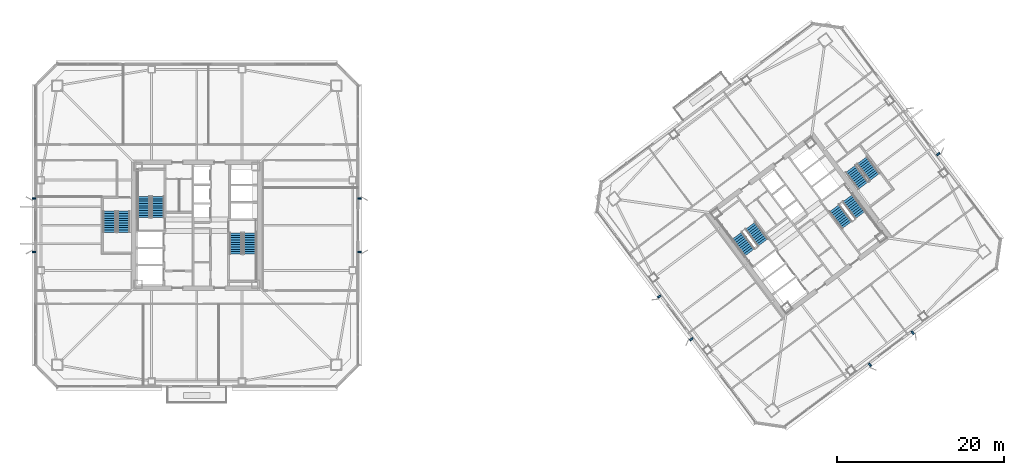
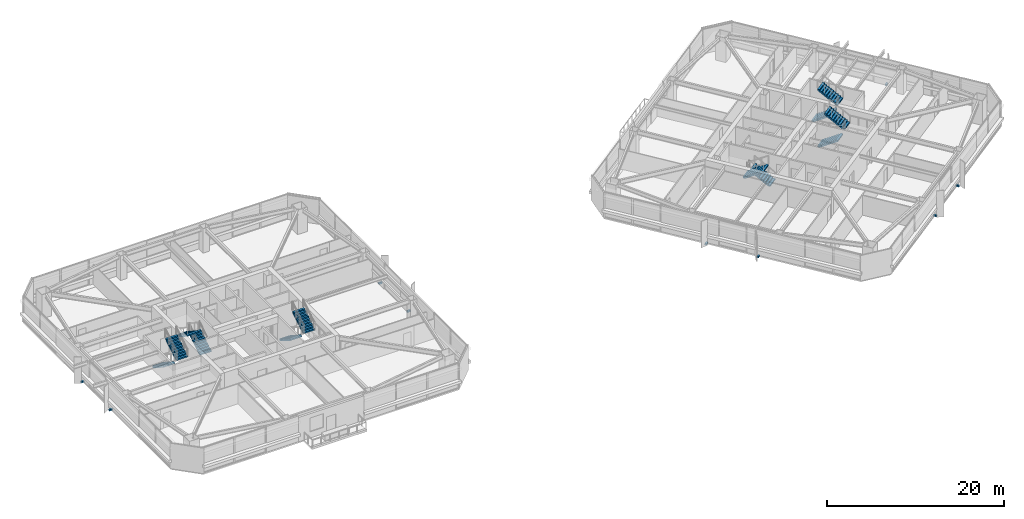
# One storey, part 40 of 48: 12 stair flights, 9 discrete accessories, 6 elements without a shape of their own.
"""IFC4 building model written with IfcOpenShell, lengths in metres."""

from ifc_helpers import new_model, si_unit, direction, frame, origin, origin_2d, place, context, subcontext, project, spatial, polyline, rectangle, outline, extrude, material, type_object, element, aggregate, save


model = new_model("IFC4")

# Units and contexts
model_context = context("Model", 3, precision=1e-05, world=origin(), true_north=direction((0.0, 1.0)))
body_context = subcontext(model_context, "Body", "Model", "MODEL_VIEW")
ifc_project = project(units=[si_unit("LENGTHUNIT", "METRE"), si_unit("AREAUNIT", "SQUARE_METRE"), si_unit("VOLUMEUNIT", "CUBIC_METRE"), si_unit("PLANEANGLEUNIT", "RADIAN"), si_unit("MASSUNIT", "GRAM", prefix="KILO")], contexts=[model_context])

# Site, building, storey
site_placement = place(None, origin())
site = spatial("IfcSite", under=ifc_project, at=site_placement, CompositionType="ELEMENT")
building_placement = place(site_placement, origin())
building = spatial("IfcBuilding", under=site, at=building_placement, Name="Tashvorn Skyway Center", CompositionType="ELEMENT")
storey_placement = place(building_placement, frame((0.0, 0.0, 125.050048828125)))
storey = spatial("IfcBuildingStorey", under=building, at=storey_placement, Name="L33", CompositionType="ELEMENT", Elevation=125.050048828125)

# Stair, stair flights
ifc_material_1 = material(Name="Concrete C40/50", Category="concrete")
stair_type = type_object("IfcStairType", Name="STAIR-CORE-1500", PredefinedType="HALF_TURN_STAIR", material=ifc_material_1)
stair_1_placement = place(storey_placement, origin())
stair_1 = element("IfcStair", 1, at=stair_1_placement, inside=storey, type_object=stair_type, Name="L33 Tower 1 Exit Stair 1", PredefinedType="HALF_TURN_STAIR")
stair_flight_type = type_object("IfcStairFlightType", Name="SFLIGHT-1500", PredefinedType="STRAIGHT", material=ifc_material_1)
stair_flight_1_placement = place(storey_placement, frame((37.35009765625, 32.919921875, 0.0), z_axis=(0.0, 0.0, 1.0), x_axis=(0.0, 1.0, 0.0)))
stair_flight_1 = element("IfcStairFlight", 2, at=stair_flight_1_placement, type_object=stair_flight_type, Name="ST-T1-1 flight 1", NumberOfRisers=10, NumberOfTreads=9, PredefinedType="STRAIGHT", RiserHeight=0.1775, TreadLength=0.28, context=body_context, shape_type="SweptSolid", body=[
    extrude(outline(polyline([(0.0, 0.0), (0.0, 0.177490234375), (0.280029296875, 0.177490234375), (0.280029296875, 0.35498046875), (0.56005859375, 0.35498046875), (0.56005859375, 0.532470703125), (0.840087890625, 0.532470703125), (0.840087890625, 0.7099609375), (1.1201171875, 0.7099609375), (1.1201171875, 0.887451171875), (1.39990234375, 0.887451171875), (1.39990234375, 1.06494140625), (1.679931640625, 1.06494140625), (1.679931640625, 1.242431640625), (1.9599609375, 1.242431640625), (1.9599609375, 1.419921875), (2.239990234375, 1.419921875), (2.239990234375, 1.597412109375), (2.52001953125, 1.597412109375), (2.52001953125, 1.77490234375), (2.52001953125, 1.419921875), (0.280029296875, 0.0), (0.0, 0.0)])), frame((0.0, 0.75, 0.0), z_axis=(0.0, -1.0, 0.0), x_axis=(1.0, 0.0, 0.0)), (0.0, 0.0, 1.0), 1.5),
])
stair_flight_2_placement = place(storey_placement, frame((35.64990234375, 35.43994140625, 1.77490234375), z_axis=(0.0, 0.0, 1.0), x_axis=(0.0, -1.0, 0.0)))
stair_flight_2 = element("IfcStairFlight", 3, at=stair_flight_2_placement, type_object=stair_flight_type, Name="ST-T1-1 flight 2", NumberOfRisers=10, NumberOfTreads=9, PredefinedType="STRAIGHT", RiserHeight=0.1775, TreadLength=0.28, context=body_context, shape_type="SweptSolid", body=[
    extrude(outline(polyline([(0.0, 0.0), (0.0, 0.177490234375), (0.280029296875, 0.177490234375), (0.280029296875, 0.35498046875), (0.56005859375, 0.35498046875), (0.56005859375, 0.532470703125), (0.840087890625, 0.532470703125), (0.840087890625, 0.7099609375), (1.1201171875, 0.7099609375), (1.1201171875, 0.887451171875), (1.39990234375, 0.887451171875), (1.39990234375, 1.06494140625), (1.679931640625, 1.06494140625), (1.679931640625, 1.242431640625), (1.9599609375, 1.242431640625), (1.9599609375, 1.419921875), (2.239990234375, 1.419921875), (2.239990234375, 1.597412109375), (2.52001953125, 1.597412109375), (2.52001953125, 1.77490234375), (2.52001953125, 1.419921875), (0.280029296875, 0.0), (0.0, 0.0)])), frame((0.0, 0.75, 0.0), z_axis=(0.0, -1.0, 0.0), x_axis=(1.0, 0.0, 0.0)), (0.0, 0.0, 1.0), 1.5),
])
aggregate(stair_1, [stair_flight_1, stair_flight_2])

stair_2_placement = place(storey_placement, origin())
stair_2 = element("IfcStair", 4, at=stair_2_placement, inside=storey, type_object=stair_type, Name="L33 Tower 1 Exit Stair 2", PredefinedType="HALF_TURN_STAIR")
stair_flight_3_placement = place(storey_placement, frame((46.64990234375, 31.080078125, 0.0), z_axis=(0.0, 0.0, 1.0), x_axis=(0.0, -1.0, 0.0)))
stair_flight_3 = element("IfcStairFlight", 5, at=stair_flight_3_placement, type_object=stair_flight_type, Name="ST-T1-2 flight 1", NumberOfRisers=10, NumberOfTreads=9, PredefinedType="STRAIGHT", RiserHeight=0.1775, TreadLength=0.28, context=body_context, shape_type="SweptSolid", body=[
    extrude(outline(polyline([(0.0, 0.0), (0.0, 0.177490234375), (0.280029296875, 0.177490234375), (0.280029296875, 0.35498046875), (0.56005859375, 0.35498046875), (0.56005859375, 0.532470703125), (0.840087890625, 0.532470703125), (0.840087890625, 0.7099609375), (1.1201171875, 0.7099609375), (1.1201171875, 0.887451171875), (1.39990234375, 0.887451171875), (1.39990234375, 1.06494140625), (1.679931640625, 1.06494140625), (1.679931640625, 1.242431640625), (1.9599609375, 1.242431640625), (1.9599609375, 1.419921875), (2.239990234375, 1.419921875), (2.239990234375, 1.597412109375), (2.52001953125, 1.597412109375), (2.52001953125, 1.77490234375), (2.52001953125, 1.419921875), (0.280029296875, 0.0), (0.0, 0.0)])), frame((0.0, 0.75, 0.0), z_axis=(0.0, -1.0, 0.0), x_axis=(1.0, 0.0, 0.0)), (0.0, 0.0, 1.0), 1.5),
])
stair_flight_4_placement = place(storey_placement, frame((48.35009765625, 28.56005859375, 1.77490234375), z_axis=(0.0, 0.0, 1.0), x_axis=(0.0, 1.0, 0.0)))
stair_flight_4 = element("IfcStairFlight", 6, at=stair_flight_4_placement, type_object=stair_flight_type, Name="ST-T1-2 flight 2", NumberOfRisers=10, NumberOfTreads=9, PredefinedType="STRAIGHT", RiserHeight=0.1775, TreadLength=0.28, context=body_context, shape_type="SweptSolid", body=[
    extrude(outline(polyline([(0.0, 0.0), (0.0, 0.177490234375), (0.280029296875, 0.177490234375), (0.280029296875, 0.35498046875), (0.56005859375, 0.35498046875), (0.56005859375, 0.532470703125), (0.840087890625, 0.532470703125), (0.840087890625, 0.7099609375), (1.1201171875, 0.7099609375), (1.1201171875, 0.887451171875), (1.39990234375, 0.887451171875), (1.39990234375, 1.06494140625), (1.679931640625, 1.06494140625), (1.679931640625, 1.242431640625), (1.9599609375, 1.242431640625), (1.9599609375, 1.419921875), (2.239990234375, 1.419921875), (2.239990234375, 1.597412109375), (2.52001953125, 1.597412109375), (2.52001953125, 1.77490234375), (2.52001953125, 1.419921875), (0.280029296875, 0.0), (0.0, 0.0)])), frame((0.0, 0.75, 0.0), z_axis=(0.0, -1.0, 0.0), x_axis=(1.0, 0.0, 0.0)), (0.0, 0.0, 1.0), 1.5),
])
aggregate(stair_2, [stair_flight_3, stair_flight_4])

stair_3_placement = place(storey_placement, origin())
stair_3 = element("IfcStair", 7, at=stair_3_placement, inside=storey, type_object=stair_type, Name="L33 Tower 2 Exit Stair 1", PredefinedType="HALF_TURN_STAIR")
stair_flight_5_placement = place(storey_placement, frame((109.72802734375, 29.946044921875, 0.0), z_axis=(0.0, 0.0, 1.0), x_axis=(-0.600000004945, 0.799999996291, 0.0)))
stair_flight_5 = element("IfcStairFlight", 8, at=stair_flight_5_placement, type_object=stair_flight_type, Name="ST-T2-1 flight 1", NumberOfRisers=10, NumberOfTreads=9, PredefinedType="STRAIGHT", RiserHeight=0.1775, TreadLength=0.28, context=body_context, shape_type="SweptSolid", body=[
    extrude(outline(polyline([(0.0, 0.0), (0.0, 0.177490234375), (0.280029296875, 0.177490234375), (0.280029296875, 0.35498046875), (0.56005859375, 0.35498046875), (0.56005859375, 0.532470703125), (0.840087890625, 0.532470703125), (0.840087890625, 0.7099609375), (1.1201171875, 0.7099609375), (1.1201171875, 0.887451171875), (1.39990234375, 0.887451171875), (1.39990234375, 1.06494140625), (1.679931640625, 1.06494140625), (1.679931640625, 1.242431640625), (1.9599609375, 1.242431640625), (1.9599609375, 1.419921875), (2.239990234375, 1.419921875), (2.239990234375, 1.597412109375), (2.52001953125, 1.597412109375), (2.52001953125, 1.77490234375), (2.52001953125, 1.419921875), (0.280029296875, 0.0), (0.0, 0.0)])), frame((0.0, 0.75, 0.0), z_axis=(0.0, -1.0, 0.0), x_axis=(1.0, 0.0, 0.0)), (0.0, 0.0, 1.0), 1.5),
])
stair_flight_6_placement = place(storey_placement, frame((106.632080078125, 30.77392578125, 1.77490234375), z_axis=(0.0, 0.0, 1.0), x_axis=(0.600000004945, -0.799999996291, 0.0)))
stair_flight_6 = element("IfcStairFlight", 9, at=stair_flight_6_placement, type_object=stair_flight_type, Name="ST-T2-1 flight 2", NumberOfRisers=10, NumberOfTreads=9, PredefinedType="STRAIGHT", RiserHeight=0.1775, TreadLength=0.28, context=body_context, shape_type="SweptSolid", body=[
    extrude(outline(polyline([(0.0, 0.0), (0.0, 0.177490234375), (0.280029296875, 0.177490234375), (0.280029296875, 0.35498046875), (0.56005859375, 0.35498046875), (0.56005859375, 0.532470703125), (0.840087890625, 0.532470703125), (0.840087890625, 0.7099609375), (1.1201171875, 0.7099609375), (1.1201171875, 0.887451171875), (1.39990234375, 0.887451171875), (1.39990234375, 1.06494140625), (1.679931640625, 1.06494140625), (1.679931640625, 1.242431640625), (1.9599609375, 1.242431640625), (1.9599609375, 1.419921875), (2.239990234375, 1.419921875), (2.239990234375, 1.597412109375), (2.52001953125, 1.597412109375), (2.52001953125, 1.77490234375), (2.52001953125, 1.419921875), (0.280029296875, 0.0), (0.0, 0.0)])), frame((0.0, 0.75, 0.0), z_axis=(0.0, -1.0, 0.0), x_axis=(1.0, 0.0, 0.0)), (0.0, 0.0, 1.0), 1.5),
])
aggregate(stair_3, [stair_flight_5, stair_flight_6])

stair_4_placement = place(storey_placement, origin())
stair_4 = element("IfcStair", 10, at=stair_4_placement, inside=storey, type_object=stair_type, Name="L33 Tower 2 Exit Stair 2", PredefinedType="HALF_TURN_STAIR")
stair_flight_7_placement = place(storey_placement, frame((118.27197265625, 34.053955078125, 0.0), z_axis=(0.0, 0.0, 1.0), x_axis=(0.600000004945, -0.799999996291, 0.0)))
stair_flight_7 = element("IfcStairFlight", 11, at=stair_flight_7_placement, type_object=stair_flight_type, Name="ST-T2-2 flight 1", NumberOfRisers=10, NumberOfTreads=9, PredefinedType="STRAIGHT", RiserHeight=0.1775, TreadLength=0.28, context=body_context, shape_type="SweptSolid", body=[
    extrude(outline(polyline([(0.0, 0.0), (0.0, 0.177490234375), (0.280029296875, 0.177490234375), (0.280029296875, 0.35498046875), (0.56005859375, 0.35498046875), (0.56005859375, 0.532470703125), (0.840087890625, 0.532470703125), (0.840087890625, 0.7099609375), (1.1201171875, 0.7099609375), (1.1201171875, 0.887451171875), (1.39990234375, 0.887451171875), (1.39990234375, 1.06494140625), (1.679931640625, 1.06494140625), (1.679931640625, 1.242431640625), (1.9599609375, 1.242431640625), (1.9599609375, 1.419921875), (2.239990234375, 1.419921875), (2.239990234375, 1.597412109375), (2.52001953125, 1.597412109375), (2.52001953125, 1.77490234375), (2.52001953125, 1.419921875), (0.280029296875, 0.0), (0.0, 0.0)])), frame((0.0, 0.75, 0.0), z_axis=(0.0, -1.0, 0.0), x_axis=(1.0, 0.0, 0.0)), (0.0, 0.0, 1.0), 1.5),
])
stair_flight_8_placement = place(storey_placement, frame((121.367919921875, 33.22607421875, 1.77490234375), z_axis=(0.0, 0.0, 1.0), x_axis=(-0.600000004945, 0.799999996291, 0.0)))
stair_flight_8 = element("IfcStairFlight", 12, at=stair_flight_8_placement, type_object=stair_flight_type, Name="ST-T2-2 flight 2", NumberOfRisers=10, NumberOfTreads=9, PredefinedType="STRAIGHT", RiserHeight=0.1775, TreadLength=0.28, context=body_context, shape_type="SweptSolid", body=[
    extrude(outline(polyline([(0.0, 0.0), (0.0, 0.177490234375), (0.280029296875, 0.177490234375), (0.280029296875, 0.35498046875), (0.56005859375, 0.35498046875), (0.56005859375, 0.532470703125), (0.840087890625, 0.532470703125), (0.840087890625, 0.7099609375), (1.1201171875, 0.7099609375), (1.1201171875, 0.887451171875), (1.39990234375, 0.887451171875), (1.39990234375, 1.06494140625), (1.679931640625, 1.06494140625), (1.679931640625, 1.242431640625), (1.9599609375, 1.242431640625), (1.9599609375, 1.419921875), (2.239990234375, 1.419921875), (2.239990234375, 1.597412109375), (2.52001953125, 1.597412109375), (2.52001953125, 1.77490234375), (2.52001953125, 1.419921875), (0.280029296875, 0.0), (0.0, 0.0)])), frame((0.0, 0.75, 0.0), z_axis=(0.0, -1.0, 0.0), x_axis=(1.0, 0.0, 0.0)), (0.0, 0.0, 1.0), 1.5),
])
aggregate(stair_4, [stair_flight_7, stair_flight_8])

stair_5_placement = place(storey_placement, origin())
stair_5 = element("IfcStair", 13, at=stair_5_placement, inside=storey, type_object=stair_type, Name="L33 Tower 1 Exit Stair 3", PredefinedType="HALF_TURN_STAIR")
stair_flight_9_placement = place(storey_placement, frame((31.550048828125, 33.679931640625, 0.0), z_axis=(0.0, 0.0, 1.0), x_axis=(0.0, -1.0, 0.0)))
stair_flight_9 = element("IfcStairFlight", 14, at=stair_flight_9_placement, type_object=stair_flight_type, Name="ST-T1-3 flight 1", NumberOfRisers=10, NumberOfTreads=9, PredefinedType="STRAIGHT", RiserHeight=0.1775, TreadLength=0.28, context=body_context, shape_type="SweptSolid", body=[
    extrude(outline(polyline([(0.0, 0.0), (0.0, 0.177490234375), (0.280029296875, 0.177490234375), (0.280029296875, 0.35498046875), (0.56005859375, 0.35498046875), (0.56005859375, 0.532470703125), (0.840087890625, 0.532470703125), (0.840087890625, 0.7099609375), (1.1201171875, 0.7099609375), (1.1201171875, 0.887451171875), (1.39990234375, 0.887451171875), (1.39990234375, 1.06494140625), (1.679931640625, 1.06494140625), (1.679931640625, 1.242431640625), (1.9599609375, 1.242431640625), (1.9599609375, 1.419921875), (2.239990234375, 1.419921875), (2.239990234375, 1.597412109375), (2.52001953125, 1.597412109375), (2.52001953125, 1.77490234375), (2.52001953125, 1.419921875), (0.280029296875, 0.0), (0.0, 0.0)])), frame((0.0, 0.75, 0.0), z_axis=(0.0, -1.0, 0.0), x_axis=(1.0, 0.0, 0.0)), (0.0, 0.0, 1.0), 1.5),
])
stair_flight_10_placement = place(storey_placement, frame((33.25, 31.159912109375, 1.77490234375), z_axis=(0.0, 0.0, 1.0), x_axis=(0.0, 1.0, 0.0)))
stair_flight_10 = element("IfcStairFlight", 15, at=stair_flight_10_placement, type_object=stair_flight_type, Name="ST-T1-3 flight 2", NumberOfRisers=10, NumberOfTreads=9, PredefinedType="STRAIGHT", RiserHeight=0.1775, TreadLength=0.28, context=body_context, shape_type="SweptSolid", body=[
    extrude(outline(polyline([(0.0, 0.0), (0.0, 0.177490234375), (0.280029296875, 0.177490234375), (0.280029296875, 0.35498046875), (0.56005859375, 0.35498046875), (0.56005859375, 0.532470703125), (0.840087890625, 0.532470703125), (0.840087890625, 0.7099609375), (1.1201171875, 0.7099609375), (1.1201171875, 0.887451171875), (1.39990234375, 0.887451171875), (1.39990234375, 1.06494140625), (1.679931640625, 1.06494140625), (1.679931640625, 1.242431640625), (1.9599609375, 1.242431640625), (1.9599609375, 1.419921875), (2.239990234375, 1.419921875), (2.239990234375, 1.597412109375), (2.52001953125, 1.597412109375), (2.52001953125, 1.77490234375), (2.52001953125, 1.419921875), (0.280029296875, 0.0), (0.0, 0.0)])), frame((0.0, 0.75, 0.0), z_axis=(0.0, -1.0, 0.0), x_axis=(1.0, 0.0, 0.0)), (0.0, 0.0, 1.0), 1.5),
])
aggregate(stair_5, [stair_flight_9, stair_flight_10])

stair_6_placement = place(storey_placement, origin())
stair_6 = element("IfcStair", 16, at=stair_6_placement, inside=storey, type_object=stair_type, Name="L33 Tower 2 Exit Stair 3", PredefinedType="HALF_TURN_STAIR")
stair_flight_11_placement = place(storey_placement, frame((120.216064453125, 38.761962890625, 0.0), z_axis=(0.0, 0.0, 1.0), x_axis=(0.600000004945, -0.799999996291, 0.0)))
stair_flight_11 = element("IfcStairFlight", 17, at=stair_flight_11_placement, type_object=stair_flight_type, Name="ST-T2-3 flight 1", NumberOfRisers=10, NumberOfTreads=9, PredefinedType="STRAIGHT", RiserHeight=0.1775, TreadLength=0.28, context=body_context, shape_type="SweptSolid", body=[
    extrude(outline(polyline([(0.0, 0.0), (0.0, 0.177490234375), (0.280029296875, 0.177490234375), (0.280029296875, 0.35498046875), (0.56005859375, 0.35498046875), (0.56005859375, 0.532470703125), (0.840087890625, 0.532470703125), (0.840087890625, 0.7099609375), (1.1201171875, 0.7099609375), (1.1201171875, 0.887451171875), (1.39990234375, 0.887451171875), (1.39990234375, 1.06494140625), (1.679931640625, 1.06494140625), (1.679931640625, 1.242431640625), (1.9599609375, 1.242431640625), (1.9599609375, 1.419921875), (2.239990234375, 1.419921875), (2.239990234375, 1.597412109375), (2.52001953125, 1.597412109375), (2.52001953125, 1.77490234375), (2.52001953125, 1.419921875), (0.280029296875, 0.0), (0.0, 0.0)])), frame((0.0, 0.75, 0.0), z_axis=(0.0, -1.0, 0.0), x_axis=(1.0, 0.0, 0.0)), (0.0, 0.0, 1.0), 1.5),
])
stair_flight_12_placement = place(storey_placement, frame((123.087890625, 37.76611328125, 1.77490234375), z_axis=(0.0, 0.0, 1.0), x_axis=(-0.600000004945, 0.799999996291, 0.0)))
stair_flight_12 = element("IfcStairFlight", 18, at=stair_flight_12_placement, type_object=stair_flight_type, Name="ST-T2-3 flight 2", NumberOfRisers=10, NumberOfTreads=9, PredefinedType="STRAIGHT", RiserHeight=0.1775, TreadLength=0.28, context=body_context, shape_type="SweptSolid", body=[
    extrude(outline(polyline([(0.0, 0.0), (0.0, 0.177490234375), (0.280029296875, 0.177490234375), (0.280029296875, 0.35498046875), (0.56005859375, 0.35498046875), (0.56005859375, 0.532470703125), (0.840087890625, 0.532470703125), (0.840087890625, 0.7099609375), (1.1201171875, 0.7099609375), (1.1201171875, 0.887451171875), (1.39990234375, 0.887451171875), (1.39990234375, 1.06494140625), (1.679931640625, 1.06494140625), (1.679931640625, 1.242431640625), (1.9599609375, 1.242431640625), (1.9599609375, 1.419921875), (2.239990234375, 1.419921875), (2.239990234375, 1.597412109375), (2.52001953125, 1.597412109375), (2.52001953125, 1.77490234375), (2.52001953125, 1.419921875), (0.280029296875, 0.0), (0.0, 0.0)])), frame((0.0, 0.75, 0.0), z_axis=(0.0, -1.0, 0.0), x_axis=(1.0, 0.0, 0.0)), (0.0, 0.0, 1.0), 1.5),
])
aggregate(stair_6, [stair_flight_11, stair_flight_12])

# Discrete accessories
ifc_material_2 = material(Name="Steel ASTM A572 Grade 50", Category="steel")
discrete_accessory_type = type_object("IfcDiscreteAccessoryType", Name="ACC-BRACKET-350", PredefinedType="BRACKET", material=ifc_material_2)
for number, where, z_axis, x_axis, name in (
    (19, (22.5400390625, 28.800048828125, -0.169921875), (0.0, 0.0, 1.0), (0.0, 1.0, 0.0), "Tower 1 L33 Solar Screen Fixing Bracket W1"),
    (20, (22.5400390625, 35.199951171875, -0.169921875), (0.0, 0.0, 1.0), (0.0, 1.0, 0.0), "Tower 1 L33 Solar Screen Fixing Bracket W2"),
    (21, (61.4599609375, 28.800048828125, -0.169921875), (0.0, 0.0, 1.0), (0.0, -1.0, 0.0), "Tower 1 L33 Solar Screen Fixing Bracket E1"),
    (22, (61.4599609375, 35.199951171875, -0.169921875), (0.0, 0.0, 1.0), (0.0, -1.0, 0.0), "Tower 1 L33 Solar Screen Fixing Bracket E2"),
    (23, (122.51611328125, 15.31201171875, -0.169921875), (0.0, 0.0, 1.0), (-0.799999996291, -0.600000004945, 0.0), "Tower 2 L33 Solar Screen Fixing Bracket S1"),
    (24, (127.635986328125, 19.152099609375, -0.169921875), (0.0, 0.0, 1.0), (-0.799999996291, -0.600000004945, 0.0), "Tower 2 L33 Solar Screen Fixing Bracket S2"),
    (25, (101.152099609375, 18.364013671875, -0.169921875), (0.0, 0.0, 1.0), (-0.600000004945, 0.799999996291, 0.0), "Tower 2 L33 Solar Screen Fixing Bracket W1"),
    (26, (97.31201171875, 23.48388671875, -0.169921875), (0.0, 0.0, 1.0), (-0.600000004945, 0.799999996291, 0.0), "Tower 2 L33 Solar Screen Fixing Bracket W2"),
    (27, (130.68798828125, 40.51611328125, -0.169921875), (0.0, 0.0, 1.0), (0.600000004945, -0.799999996291, 0.0), "Tower 2 L33 Solar Screen Fixing Bracket E1"),
):
    element("IfcDiscreteAccessory", number, at=place(storey_placement, frame(where, z_axis=z_axis, x_axis=x_axis)), inside=storey, type_object=discrete_accessory_type, Name=name, PredefinedType="BRACKET", context=body_context, shape_type="SweptSolid", body=[
        extrude(rectangle(XDim=0.219970703125, YDim=0.43994140625, at=origin_2d()), origin(), (0.0, 0.0, 1.0), 0.219970703125),
    ])

save(model, "model.ifc")
